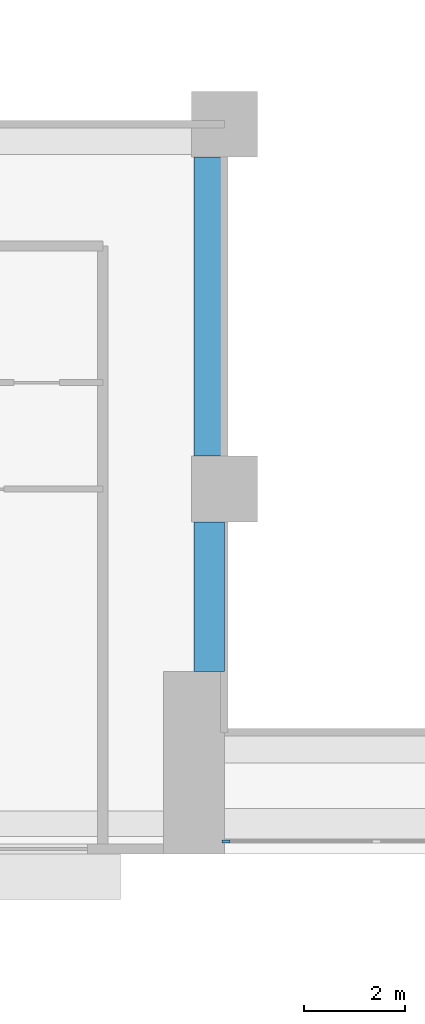
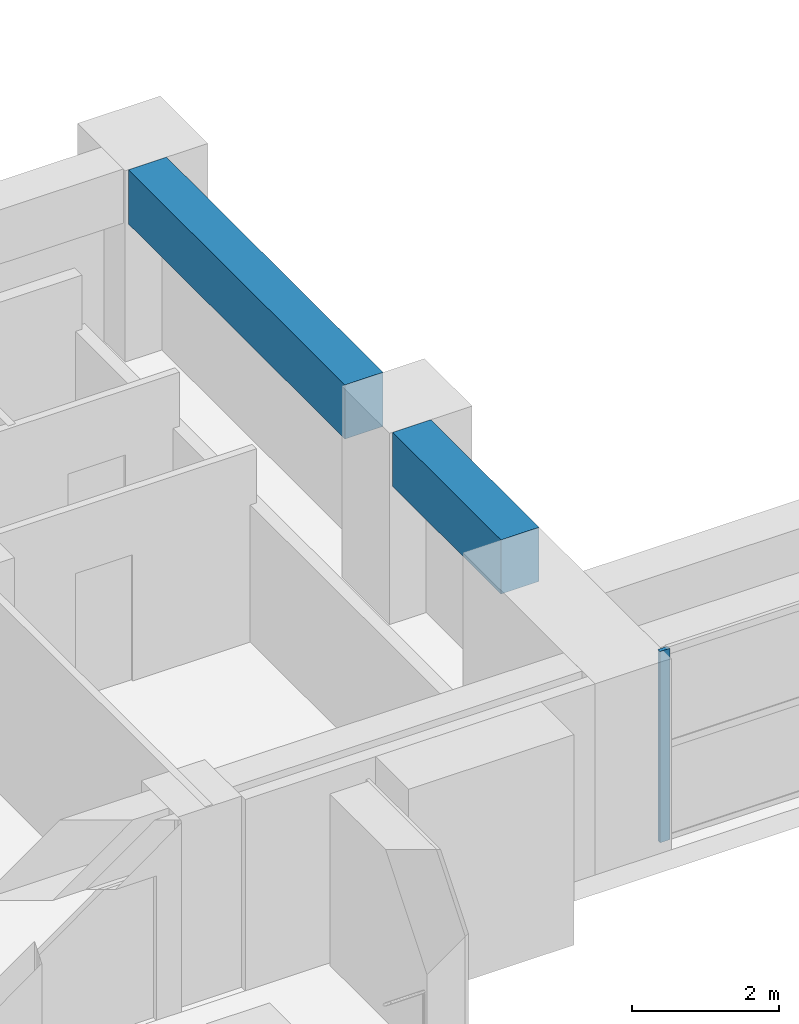
# One storey, part 2 of 17: 2 beams, 1 member, 1 element without a shape of its own.
"""IFC4 building model written with IfcOpenShell, lengths in metres."""

from ifc_helpers import new_model, si_unit, direction, frame, origin, origin_2d, place, context, subcontext, project, spatial, rectangle, extrude, source, transform, mapped, material, layer, layer_set, material_profile, profile_set, type_object, element, aggregate, save


model = new_model("IFC4")

# Units and contexts
model_context = context("Model", 3, precision=1e-05, world=origin(), true_north=direction((0.0, 1.0)))
body_context = subcontext(model_context, "Body", "Model", "MODEL_VIEW")
ifc_project = project(units=[si_unit("LENGTHUNIT", "METRE"), si_unit("AREAUNIT", "SQUARE_METRE"), si_unit("VOLUMEUNIT", "CUBIC_METRE"), si_unit("PLANEANGLEUNIT", "RADIAN"), si_unit("MASSUNIT", "GRAM", prefix="KILO")], contexts=[model_context])

# Site, building, storey
site_placement = place(None, origin())
site = spatial("IfcSite", under=ifc_project, at=site_placement, CompositionType="ELEMENT")
building_placement = place(site_placement, origin())
building = spatial("IfcBuilding", under=site, at=building_placement, Name="Saffron Iwan Residences", CompositionType="ELEMENT")
storey_placement = place(building_placement, frame((0.0, 0.0, 79.5)))
storey = spatial("IfcBuildingStorey", under=building, at=storey_placement, Name="L20", CompositionType="ELEMENT", Elevation=79.5)

# Beams
ifc_material_1 = material(Name="Concrete C60/75", Category="concrete")
ifc_material_profile_1 = material_profile(ifc_material_1, rectangle(XDim=0.60009765625, YDim=0.89990234375, at=origin_2d()), Name="RC 600x900")
ifc_profile_set_1 = profile_set([ifc_material_profile_1], Name="Concrete C60/75")
beam_type = type_object("IfcBeamType", Name="BEAM RC 600x900 C60/75 TOP 3180", PredefinedType="BEAM", material=ifc_profile_set_1)
shared_shape_1 = source(origin(), body_context, "Body", "SweptSolid", [
    extrude(rectangle(XDim=0.60009765625, YDim=0.89990234375, at=origin_2d()), origin(), (0.0, 0.0, 1.0), 2.949951171875),
])
beam_1_placement = place(storey_placement, frame((42.89990234375, 37.199951171875, 2.72998046875), z_axis=(0.0, 1.0, 0.0), x_axis=(-1.0, 0.0, 0.0)))
element("IfcBeam", 1, at=beam_1_placement, inside=storey, type_object=beam_type, Name="Atrium edge beam", PredefinedType="BEAM", context=body_context, shape_type="MappedRepresentation", body=[
    mapped(shared_shape_1, transform((0.0, 0.0, 0.0))),
])
shared_shape_2 = source(origin(), body_context, "Body", "SweptSolid", [
    extrude(rectangle(XDim=0.60009765625, YDim=0.89990234375, at=origin_2d()), origin(), (0.0, 0.0, 1.0), 5.900146484375),
])
beam_2_placement = place(storey_placement, frame((42.89990234375, 41.449951171875, 2.72998046875), z_axis=(0.0, 1.0, 0.0), x_axis=(-1.0, 0.0, 0.0)))
element("IfcBeam", 2, at=beam_2_placement, inside=storey, type_object=beam_type, Name="Atrium edge beam", PredefinedType="BEAM", context=body_context, shape_type="MappedRepresentation", body=[
    mapped(shared_shape_2, transform((0.0, 0.0, 0.0))),
])

# Curtain wall, member
ifc_material_2 = material(Name="Clear glass, laminated double glazed", Category="glass")
ifc_layer = layer(ifc_material_2, 0.199951171875)
ifc_layer_set = layer_set([ifc_layer], Name="Clear glass, laminated double glazed")
curtain_wall_type = type_object("IfcCurtainWallType", Name="CW-B IWAN PORTAL", PredefinedType="NOTDEFINED", material=ifc_layer_set)
curtain_wall_placement = place(storey_placement, origin())
curtain_wall = element("IfcCurtainWall", 3, at=curtain_wall_placement, inside=storey, type_object=curtain_wall_type, Name="Iwan portal glazing L20.1", PredefinedType="NOTDEFINED")
ifc_material_3 = material(Name="Aluminium 6063-T6", Category="aluminium")
ifc_material_profile_2 = material_profile(ifc_material_3, rectangle(XDim=0.06005859375, YDim=0.159912109375, at=origin_2d()), Name="CW-B MULLION 60 x 160")
ifc_profile_set_2 = profile_set([ifc_material_profile_2], Name="Aluminium 6063-T6")
member_type = type_object("IfcMemberType", Name="CW-B MULLION 60 x 160", PredefinedType="MULLION", material=ifc_profile_set_2)
shared_shape_3 = source(origin(), body_context, "Body", "SweptSolid", [
    extrude(rectangle(XDim=0.06005859375, YDim=0.159912109375, at=origin_2d()), origin(), (0.0, 0.0, 1.0), 3.179931640625),
])
member_placement = place(storey_placement, frame((43.22998046875, 33.85009765625, 0.0), z_axis=(0.0, 0.0, 1.0), x_axis=(0.0, 1.0, 0.0)))
member = element("IfcMember", 4, at=member_placement, type_object=member_type, Name="CW-B mullion 1", PredefinedType="MULLION", context=body_context, shape_type="MappedRepresentation", body=[
    mapped(shared_shape_3, transform((0.0, 0.0, 0.0))),
])
aggregate(curtain_wall, [member])

save(model, "model.ifc")
